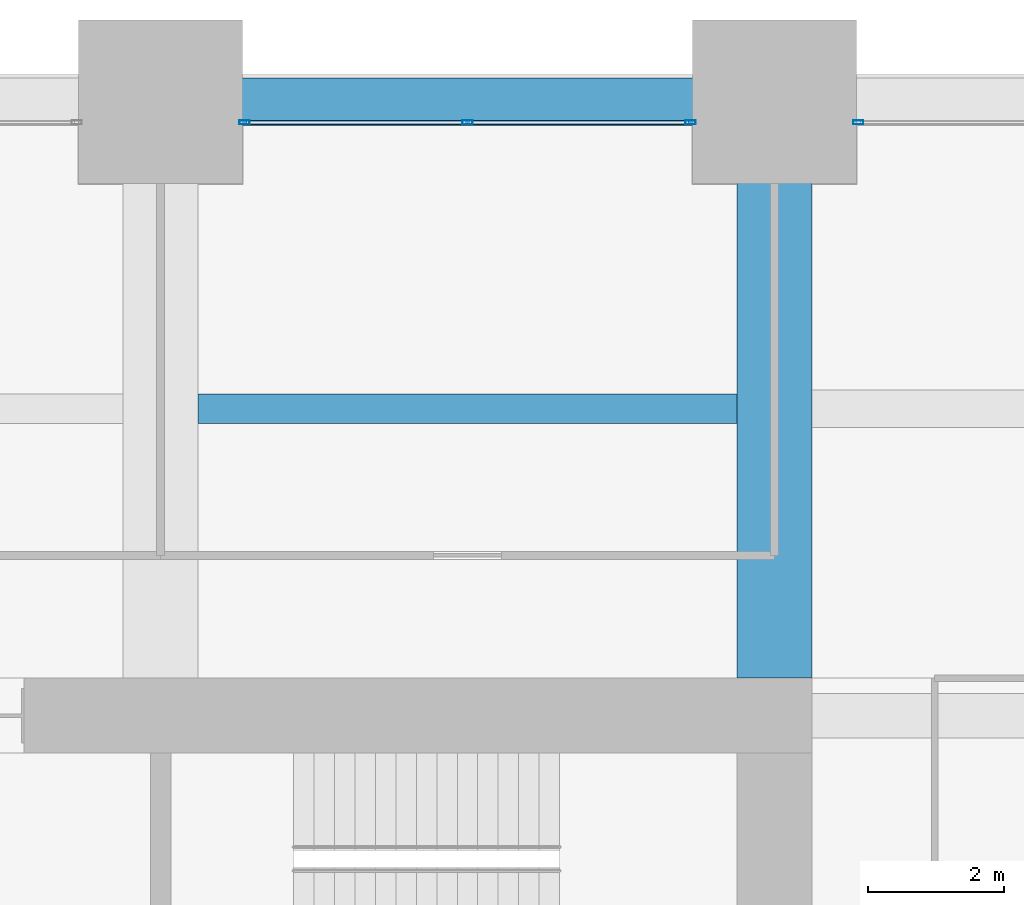
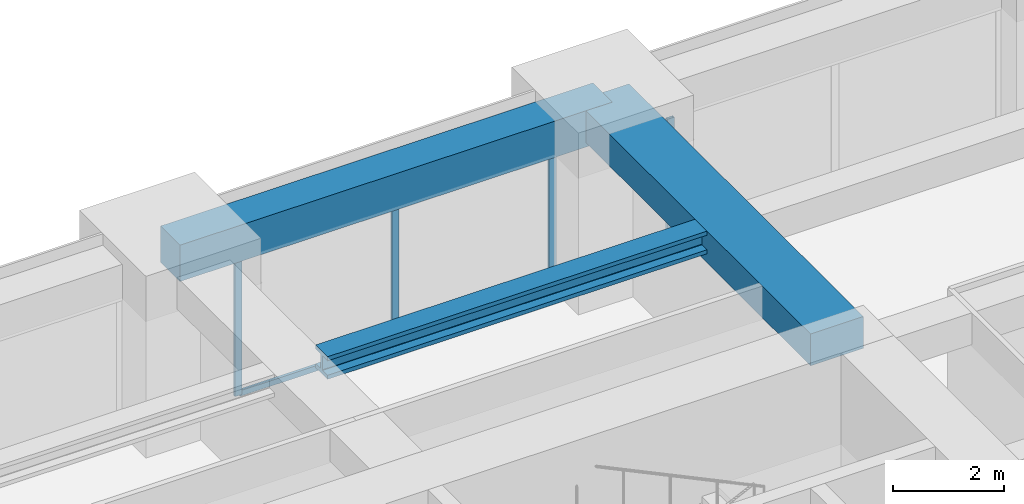
# One storey, part 30 of 39: 5 members, 3 beams, 2 elements without a shape of their own.
"""IFC4 building model written with IfcOpenShell, lengths in metres."""

from ifc_helpers import new_model, si_unit, direction, frame, origin, origin_2d, place, context, subcontext, project, spatial, rectangle, hollow_rectangle, i_section, extrude, material, material_profile, profile_set, type_object, element, aggregate, save


model = new_model("IFC4")

# Units and contexts
model_context = context("Model", 3, precision=1e-05, world=origin(), true_north=direction((0.0, 1.0)))
body_context = subcontext(model_context, "Body", "Model", "MODEL_VIEW")
ifc_project = project(units=[si_unit("LENGTHUNIT", "METRE"), si_unit("AREAUNIT", "SQUARE_METRE"), si_unit("VOLUMEUNIT", "CUBIC_METRE"), si_unit("PLANEANGLEUNIT", "RADIAN"), si_unit("MASSUNIT", "GRAM", prefix="KILO")], contexts=[model_context])

# Site, building, storey
site_placement = place(None, origin())
site = spatial("IfcSite", under=ifc_project, at=site_placement, CompositionType="ELEMENT")
building_placement = place(site_placement, origin())
building = spatial("IfcBuilding", under=site, at=building_placement, Name="Zorevar Civic Tower", CompositionType="ELEMENT")
storey_placement = place(building_placement, frame((0.0, 0.0, 121.0)))
storey = spatial("IfcBuildingStorey", under=building, at=storey_placement, Name="L29", CompositionType="ELEMENT", Elevation=121.0)

# Beam
ifc_material_1 = material(Name="Concrete C50/60", Category="concrete")
ifc_material_profile_1 = material_profile(ifc_material_1, rectangle(XDim=1.10009765625, YDim=0.699951171875, at=origin_2d()), Name="RC 1100x700")
ifc_profile_set_1 = profile_set([ifc_material_profile_1], Name="Concrete C50/60")
beam_type_1 = type_object("IfcBeamType", Name="Beam RC 1100x700", PredefinedType="BEAM", material=ifc_profile_set_1)
beam_1_placement = place(storey_placement, frame((45.0, 36.550048828125, 3.39990234375), z_axis=(0.0, 1.0, 0.0), x_axis=(-1.0, 0.0, 0.0)))
element("IfcBeam", 1, at=beam_1_placement, inside=storey, type_object=beam_type_1, Name="Girder L30", PredefinedType="BEAM", context=body_context, shape_type="SweptSolid", body=[
    extrude(rectangle(XDim=1.10009765625, YDim=0.699951171875, at=origin_2d()), origin(), (0.0, 0.0, 1.0), 8.449951171875),
])

# Curtain wall, members
ifc_material_2 = material(Name="Dark grey solar-control glass in black aluminium frame", Category="aluminium")
curtain_wall_type = type_object("IfcCurtainWallType", Name="Curtain wall CW3 mid zone", PredefinedType="NOTDEFINED", material=ifc_material_2)
curtain_wall_1_placement = place(storey_placement, origin())
curtain_wall_1 = element("IfcCurtainWall", 2, at=curtain_wall_1_placement, inside=storey, type_object=curtain_wall_type, Name="CW3 L29", PredefinedType="NOTDEFINED")
ifc_material_3 = material(Name="Aluminium, black anodised", Category="aluminium")
ifc_material_profile_2 = material_profile(ifc_material_3, hollow_rectangle(XDim=0.06005859375, YDim=0.14990234375, WallThickness=0.00390625, at=origin_2d()), Name="AL 150x60x4")
ifc_profile_set_2 = profile_set([ifc_material_profile_2], Name="Aluminium, black anodised")
member_type_1 = type_object("IfcMemberType", Name="CW3 mullion AL 150x60x4", PredefinedType="MULLION", material=ifc_profile_set_2)
member_1_placement = place(storey_placement, frame((37.22998046875, 44.699951171875, 0.0), z_axis=(0.0, 0.0, 1.0), x_axis=(0.0, 1.0, 0.0)))
member_1 = element("IfcMember", 3, at=member_1_placement, type_object=member_type_1, Name="CW3 mullion 1", PredefinedType="MULLION", context=body_context, shape_type="SweptSolid", body=[
    extrude(hollow_rectangle(XDim=0.06005859375, YDim=0.14990234375, WallThickness=0.00390625, at=origin_2d()), origin(), (0.0, 0.0, 1.0), 2.949951171875),
])
member_2_placement = place(storey_placement, frame((40.5, 44.699951171875, 0.06005859375), z_axis=(0.0, 0.0, 1.0), x_axis=(0.0, 1.0, 0.0)))
member_2 = element("IfcMember", 4, at=member_2_placement, type_object=member_type_1, Name="CW3 mullion 2", PredefinedType="MULLION", context=body_context, shape_type="SweptSolid", body=[
    extrude(hollow_rectangle(XDim=0.06005859375, YDim=0.14990234375, WallThickness=0.00390625, at=origin_2d()), origin(), (0.0, 0.0, 1.0), 2.889892578125),
])
member_3_placement = place(storey_placement, frame((43.77001953125, 44.699951171875, 0.0), z_axis=(0.0, 0.0, 1.0), x_axis=(0.0, 1.0, 0.0)))
member_3 = element("IfcMember", 5, at=member_3_placement, type_object=member_type_1, Name="CW3 mullion 3", PredefinedType="MULLION", context=body_context, shape_type="SweptSolid", body=[
    extrude(hollow_rectangle(XDim=0.06005859375, YDim=0.14990234375, WallThickness=0.00390625, at=origin_2d()), origin(), (0.0, 0.0, 1.0), 2.949951171875),
])

# Curtain wall, member
curtain_wall_2_placement = place(storey_placement, origin())
curtain_wall_2 = element("IfcCurtainWall", 6, at=curtain_wall_2_placement, inside=storey, type_object=curtain_wall_type, Name="CW3 L29", PredefinedType="NOTDEFINED")
member_4_placement = place(storey_placement, frame((46.22998046875, 44.699951171875, 0.0), z_axis=(0.0, 0.0, 1.0), x_axis=(0.0, 1.0, 0.0)))
member_4 = element("IfcMember", 7, at=member_4_placement, type_object=member_type_1, Name="CW3 mullion 1", PredefinedType="MULLION", context=body_context, shape_type="SweptSolid", body=[
    extrude(hollow_rectangle(XDim=0.06005859375, YDim=0.14990234375, WallThickness=0.00390625, at=origin_2d()), origin(), (0.0, 0.0, 1.0), 2.949951171875),
])
aggregate(curtain_wall_2, [member_4])

# Member
ifc_material_4 = material(Name="Aluminium, black anodised", Category="aluminium")
ifc_material_profile_3 = material_profile(ifc_material_4, hollow_rectangle(XDim=0.06005859375, YDim=0.1201171875, WallThickness=0.0029296875, at=origin_2d()), Name="AL 120x60x3")
ifc_profile_set_3 = profile_set([ifc_material_profile_3], Name="Aluminium, black anodised")
member_type_2 = type_object("IfcMemberType", Name="CW3 transom AL 120x60x3", PredefinedType="USERDEFINED", material=ifc_profile_set_3)
member_5_placement = place(storey_placement, frame((37.260009765625, 44.699951171875, 0.030029296875), z_axis=(1.0, 0.0, 0.0), x_axis=(0.0, 1.0, 0.0)))
member_5 = element("IfcMember", 8, at=member_5_placement, type_object=member_type_2, Name="CW3 sill transom", ObjectType="TRANSOM", PredefinedType="USERDEFINED", context=body_context, shape_type="SweptSolid", body=[
    extrude(hollow_rectangle(XDim=0.06005859375, YDim=0.1201171875, WallThickness=0.0029296875, at=origin_2d()), origin(), (0.0, 0.0, 1.0), 6.47998046875),
])

aggregate(curtain_wall_1, [member_1, member_2, member_3, member_5])

# Beams
ifc_material_5 = material(Name="Steel S460M (HISTAR 460)", Category="steel")
ifc_material_profile_4 = material_profile(ifc_material_5, i_section(OverallWidth=0.431884765625, OverallDepth=0.498046875, WebThickness=0.0556640625, FlangeThickness=0.0888671875, FilletRadius=0.014892578125, at=origin_2d()), Name="HD 400x744")
ifc_profile_set_4 = profile_set([ifc_material_profile_4], Name="Steel S460M (HISTAR 460)")
beam_type_2 = type_object("IfcBeamType", Name="Core bay beam HD 400x744", PredefinedType="BEAM", material=ifc_profile_set_4)
beam_2_placement = place(storey_placement, frame((36.550048828125, 40.5, 3.5009765625), z_axis=(1.0, 0.0, 0.0), x_axis=(0.0, 1.0, 0.0)))
element("IfcBeam", 9, at=beam_2_placement, inside=storey, type_object=beam_type_2, Name="Secondary beam L30", PredefinedType="BEAM", context=body_context, shape_type="SweptSolid", body=[
    extrude(i_section(OverallWidth=0.431884765625, OverallDepth=0.498046875, WebThickness=0.0556640625, FlangeThickness=0.0888671875, FilletRadius=0.014892578125, at=origin_2d()), origin(), (0.0, 0.0, 1.0), 7.89990234375),
])
ifc_material_6 = material(Name="Concrete C50/60", Category="concrete")
ifc_material_profile_5 = material_profile(ifc_material_6, rectangle(XDim=0.699951171875, YDim=0.800048828125, at=origin_2d()), Name="RC 700x800")
ifc_profile_set_5 = profile_set([ifc_material_profile_5], Name="Concrete C50/60")
beam_type_3 = type_object("IfcBeamType", Name="Edge beam RC 700x800", PredefinedType="SPANDREL", material=ifc_profile_set_5)
beam_3_placement = place(storey_placement, frame((36.0, 45.0, 3.35009765625), z_axis=(1.0, 0.0, 0.0), x_axis=(0.0, 1.0, 0.0)))
element("IfcBeam", 10, at=beam_3_placement, inside=storey, type_object=beam_type_3, Name="Edge beam L30", PredefinedType="SPANDREL", context=body_context, shape_type="SweptSolid", body=[
    extrude(rectangle(XDim=0.699951171875, YDim=0.800048828125, at=origin_2d()), origin(), (0.0, 0.0, 1.0), 9.0),
])

save(model, "model.ifc")
